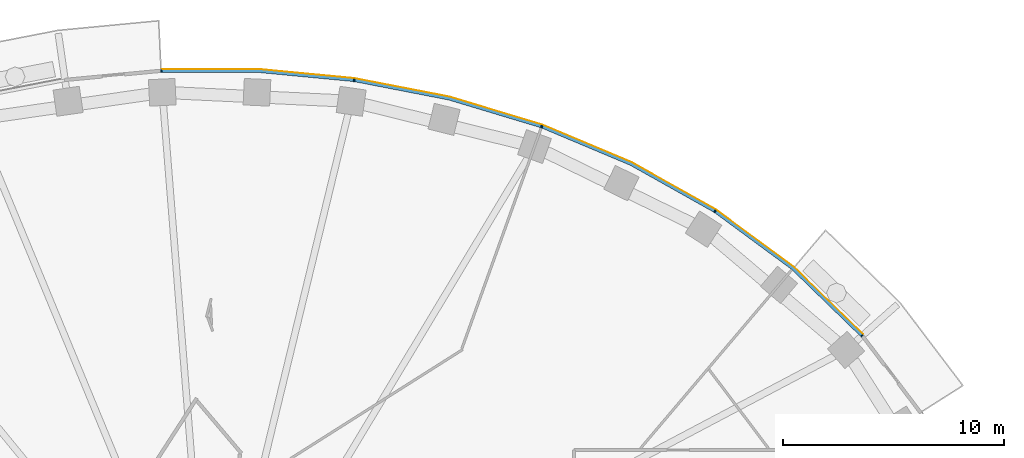
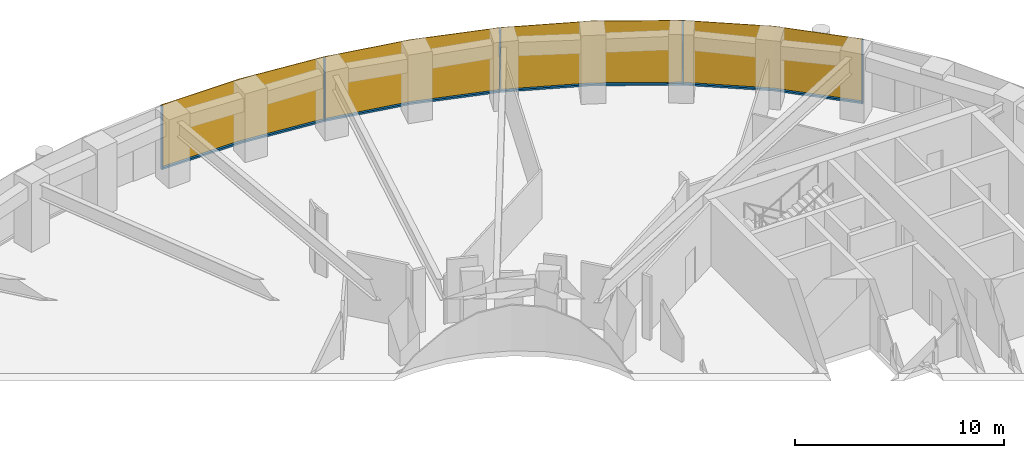
# One storey, part 13 of 16: 9 members, 1 curtain wall.
"""IFC4 building model written with IfcOpenShell, lengths in metres."""

from ifc_helpers import new_model, si_unit, direction, frame, origin, origin_2d, place, context, subcontext, project, spatial, polyline, rectangle, outline, extrude, material, layer, layer_set, material_profile, profile_set, type_object, element, aggregate, save


model = new_model("IFC4")

# Units and contexts
model_context = context("Model", 3, precision=1e-05, world=origin(), true_north=direction((0.0, 1.0)))
body_context = subcontext(model_context, "Body", "Model", "MODEL_VIEW")
ifc_project = project(units=[si_unit("LENGTHUNIT", "METRE"), si_unit("AREAUNIT", "SQUARE_METRE"), si_unit("VOLUMEUNIT", "CUBIC_METRE"), si_unit("PLANEANGLEUNIT", "RADIAN"), si_unit("MASSUNIT", "GRAM", prefix="KILO")], contexts=[model_context])

# Member
ifc_material_1 = material(Name="Aluminium 6063-T6 black anodised", Category="aluminium")
ifc_material_profile = material_profile(ifc_material_1, rectangle(XDim=0.1201171875, YDim=0.06005859375, at=origin_2d()), Name="120x60")
ifc_profile_set = profile_set([ifc_material_profile], Name="Aluminium 6063-T6 black anodised")
member_type_1 = type_object("IfcMemberType", Name="ENV-MULLION-A-120", PredefinedType="MULLION", material=ifc_profile_set)
site_placement = place(None, origin())
building_placement = place(site_placement, origin())
storey_placement = place(building_placement, frame((0.0, 0.0, 162.0)))
member_1_placement = place(storey_placement, frame((29.53857421875, 15.8671875, 0.0), z_axis=(0.0, 0.0, 1.0), x_axis=(-0.749047221705, -0.662516610853, 0.0)))
member_1 = element("IfcMember", 1, at=member_1_placement, type_object=member_type_1, Name="Mullion A radial 05", PredefinedType="MULLION", context=body_context, shape_type="SweptSolid", body=[
    extrude(rectangle(XDim=0.1201171875, YDim=0.06005859375, at=origin_2d()), origin(), (0.0, 0.0, 1.0), 3.699951171875),
])

member_2_placement = place(storey_placement, frame((22.882568359375, 21.506591796875, 0.0), z_axis=(0.0, 0.0, 1.0), x_axis=(-0.542279153225, -0.840198381323, 0.0)))
member_2 = element("IfcMember", 2, at=member_2_placement, type_object=member_type_1, Name="Mullion A radial 07", PredefinedType="MULLION", context=body_context, shape_type="SweptSolid", body=[
    extrude(rectangle(XDim=0.1201171875, YDim=0.06005859375, at=origin_2d()), origin(), (0.0, 0.0, 1.0), 3.699951171875),
])

member_3_placement = place(storey_placement, frame((15.0341796875, 25.34375, 0.0), z_axis=(0.0, 0.0, 1.0), x_axis=(-0.338379256581, -0.941009818608, 0.0)))
member_3 = element("IfcMember", 3, at=member_3_placement, type_object=member_type_1, Name="Mullion A radial 09", PredefinedType="MULLION", context=body_context, shape_type="SweptSolid", body=[
    extrude(rectangle(XDim=0.1201171875, YDim=0.06005859375, at=origin_2d()), origin(), (0.0, 0.0, 1.0), 3.699951171875),
])

member_4_placement = place(storey_placement, frame((6.54638671875, 27.440185546875, 0.0), z_axis=(0.0, 0.0, 1.0), x_axis=(-0.143082012705, -0.989710835366, 0.0)))
member_4 = element("IfcMember", 4, at=member_4_placement, type_object=member_type_1, Name="Mullion A radial 11", PredefinedType="MULLION", context=body_context, shape_type="SweptSolid", body=[
    extrude(rectangle(XDim=0.1201171875, YDim=0.06005859375, at=origin_2d()), origin(), (0.0, 0.0, 1.0), 3.699951171875),
])

member_5_placement = place(storey_placement, frame((-2.188720703125, 27.856201171875, 0.0), z_axis=(0.0, 0.0, 1.0), x_axis=(0.047557873581, -0.998868484166, 0.0)))
member_5 = element("IfcMember", 5, at=member_5_placement, type_object=member_type_1, Name="Mullion A radial 13", PredefinedType="MULLION", context=body_context, shape_type="SweptSolid", body=[
    extrude(rectangle(XDim=0.1201171875, YDim=0.06005859375, at=origin_2d()), origin(), (0.0, 0.0, 1.0), 3.699951171875),
])

ifc_material_2 = material(Name="Aluminium 6063-T6 black anodised", Category="aluminium")
member_type_2 = type_object("IfcMemberType", Name="ENV-TRANSOM-A", PredefinedType="USERDEFINED", material=ifc_material_2)
member_6_placement = place(storey_placement, origin())
member_6 = element("IfcMember", 6, at=member_6_placement, type_object=member_type_2, Name="Transom A radial 05-07", ObjectType="TRANSOM", PredefinedType="USERDEFINED", context=body_context, shape_type="SweptSolid", body=[
    extrude(outline(polyline([(29.5634765625, 15.926513671875), (26.4423828125, 18.958740234375), (22.937744140625, 21.540283203125), (22.87255859375, 21.439208984375), (26.364501953125, 18.866943359375), (29.473388671875, 15.8466796875), (29.5634765625, 15.926513671875)])), origin(), (0.0, 0.0, 1.0), 0.10009765625),
])

member_7_placement = place(storey_placement, origin())
member_7 = element("IfcMember", 7, at=member_7_placement, type_object=member_type_2, Name="Transom A radial 07-09", ObjectType="TRANSOM", PredefinedType="USERDEFINED", context=body_context, shape_type="SweptSolid", body=[
    extrude(outline(polyline([(22.890625, 21.570556640625), (19.093994140625, 23.701416015625), (15.080322265625, 25.389404296875), (15.03955078125, 25.276123046875), (19.041259765625, 23.593505859375), (22.825439453125, 21.469482421875), (22.890625, 21.570556640625)])), origin(), (0.0, 0.0, 1.0), 0.10009765625),
])

member_8_placement = place(storey_placement, origin())
member_8 = element("IfcMember", 8, at=member_8_placement, type_object=member_type_2, Name="Transom A radial 09-11", ObjectType="TRANSOM", PredefinedType="USERDEFINED", context=body_context, shape_type="SweptSolid", body=[
    extrude(outline(polyline([(15.027587890625, 25.408203125), (10.857666015625, 26.6630859375), (6.58251953125, 27.494140625), (6.5654296875, 27.375244140625), (10.828857421875, 26.54638671875), (14.987060546875, 25.295166015625), (15.027587890625, 25.408203125)])), origin(), (0.0, 0.0, 1.0), 0.10009765625),
])

member_9_placement = place(storey_placement, origin())
member_9 = element("IfcMember", 9, at=member_9_placement, type_object=member_type_2, Name="Transom A radial 11-13", ObjectType="TRANSOM", PredefinedType="USERDEFINED", context=body_context, shape_type="SweptSolid", body=[
    extrude(outline(polyline([(6.527099609375, 27.502197265625), (2.191650390625, 27.916015625), (-2.163818359375, 27.916015625), (-2.157958984375, 27.7958984375), (2.185791015625, 27.7958984375), (6.510009765625, 27.38330078125), (6.527099609375, 27.502197265625)])), origin(), (0.0, 0.0, 1.0), 0.10009765625),
])

# Site, building, storey
site = spatial("IfcSite", under=ifc_project, at=site_placement, CompositionType="ELEMENT")
building = spatial("IfcBuilding", under=site, at=building_placement, Name="Noorbagh Ring Tower", CompositionType="ELEMENT")
storey = spatial("IfcBuildingStorey", under=building, at=storey_placement, Name="L37", CompositionType="ELEMENT", Elevation=162.0)

# Curtain wall
ifc_material_3 = material(Name="Glass dark tinted laminated", Category="glass")
ifc_layer = layer(ifc_material_3, 0.031982421875)
ifc_layer_set = layer_set([ifc_layer], Name="Glass dark tinted laminated")
curtain_wall_type = type_object("IfcCurtainWallType", Name="ENV-CW-A", PredefinedType="NOTDEFINED", material=ifc_layer_set)
curtain_wall_placement = place(storey_placement, origin())
curtain_wall = element("IfcCurtainWall", 10, at=curtain_wall_placement, inside=storey, type_object=curtain_wall_type, Name="Curtain wall A R05", PredefinedType="NOTDEFINED", context=body_context, shape_type="SweptSolid", body=[
    extrude(outline(polyline([(29.59326171875, 15.942138671875), (26.463134765625, 18.9833984375), (22.9326171875, 21.583740234375), (19.108154296875, 23.730224609375), (15.065185546875, 25.430419921875), (10.865234375, 26.6943359375), (6.559814453125, 27.53125), (2.193115234375, 27.947998046875), (-2.173095703125, 27.947998046875), (-2.171630859375, 27.916015625), (2.191650390625, 27.916015625), (6.55517578125, 27.49951171875), (10.857666015625, 26.6630859375), (15.054443359375, 25.400146484375), (19.093994140625, 23.701416015625), (22.9150390625, 21.556884765625), (26.4423828125, 18.958740234375), (29.569091796875, 15.9208984375), (29.59326171875, 15.942138671875)])), origin(), (0.0, 0.0, 1.0), 3.699951171875),
])

aggregate(curtain_wall, [member_1, member_2, member_3, member_4, member_5, member_6, member_7, member_8, member_9])

save(model, "model.ifc")
